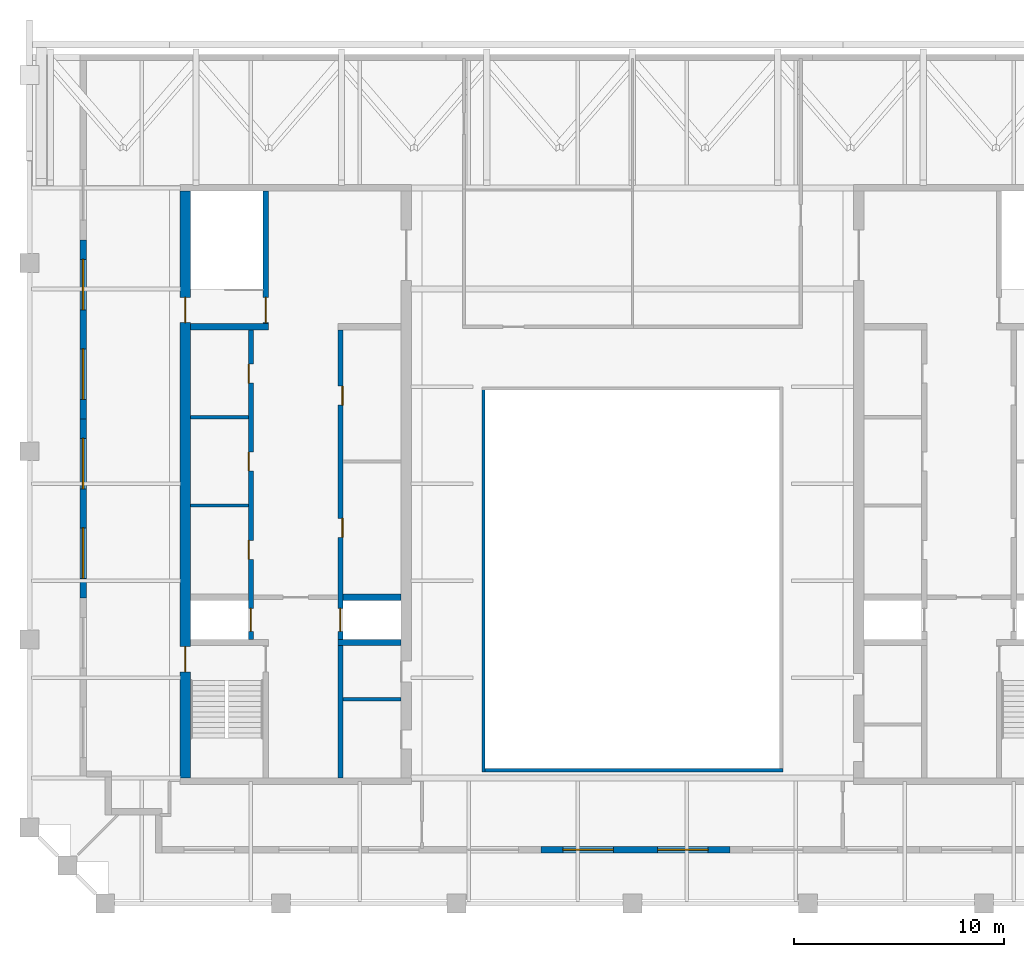
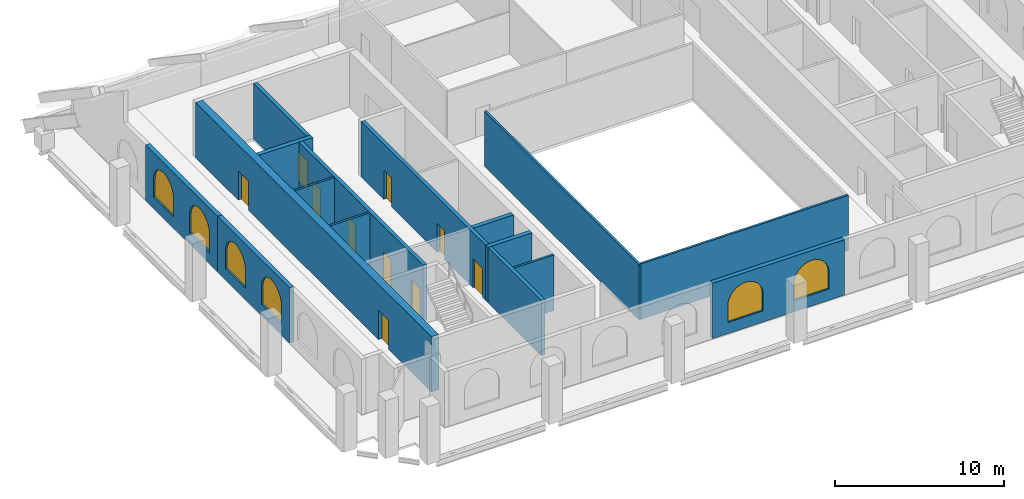
# One storey, part 3 of 7: 15 walls, 10 doors, 6 windows, 16 openings.
"""IFC4 building model written with IfcOpenShell, lengths in metres."""

import ifcopenshell
import ifcopenshell.guid

model = None  # the IFC model being written
_history = None  # IfcOwnerHistory: only IFC2X3 demands one
_inside = {}  # id of a spatial element -> (the spatial element, [elements in it])
_under = {}  # id of a project, library or spatial element -> (it, [spatial elements below it])
_declared = {}  # id of a project -> (the project, [libraries it declares])
_typed = {}  # id of a type object -> (the type object, [elements of that type])
_made_of = {}  # id of a material, layer set ... -> (it, [elements and type objects made of it])


def new_model(schema):
    """Start an empty IFC model of exactly this schema.

    Asked for "IFC4X3", IfcOpenShell would pick the latest addendum, in which some entities
    have other attributes; the version numbers below select the first issue.
    IFC2X3 requires an IfcOwnerHistory on every rooted entity: one is made here for all.
    """
    global model, _history
    if schema == "IFC4X3":
        model = ifcopenshell.file(schema_version=(4, 3, 0, 0))
    else:
        model = ifcopenshell.file(schema=schema)
    _inside.clear()
    _under.clear()
    _declared.clear()
    _typed.clear()
    _made_of.clear()
    _history = None
    if model.schema == "IFC2X3":
        org = make("IfcOrganization", Name="unknown")
        user = make(
            "IfcPersonAndOrganization",
            ThePerson=make("IfcPerson", FamilyName="unknown"),
            TheOrganization=org,
        )
        app = make(
            "IfcApplication",
            ApplicationDeveloper=org,
            Version="unknown",
            ApplicationFullName="unknown",
            ApplicationIdentifier="unknown",
        )
        _history = make(
            "IfcOwnerHistory",
            OwningUser=user,
            OwningApplication=app,
            ChangeAction="ADDED",
            CreationDate=0,
        )
    return model


def make(cls, **values):
    """One entity of the class cls with the attributes given. An attribute that is None is left unset."""
    return model.create_entity(
        cls, **{name: value for name, value in values.items() if value is not None}
    )


def rooted(cls, **values):
    """An entity with a GlobalId (a new one), such as an element, a storey or a relation."""
    return make(cls, GlobalId=ifcopenshell.guid.new(), OwnerHistory=_history, **values)


def si_unit(unit_type, name, prefix=None):
    """IfcSIUnit, for example si_unit("LENGTHUNIT", "METRE", prefix="MILLI")."""
    return make("IfcSIUnit", UnitType=unit_type, Prefix=prefix, Name=name)


def assignment(units):
    """IfcUnitAssignment: the units of a project."""
    return None if units is None else make("IfcUnitAssignment", Units=units)


def point(xyz):
    """IfcCartesianPoint."""
    return None if xyz is None else make("IfcCartesianPoint", Coordinates=xyz)


def direction(xyz):
    """IfcDirection."""
    return None if xyz is None else make("IfcDirection", DirectionRatios=xyz)


def frame(location, z_axis=None, x_axis=None):
    """IfcAxis2Placement3D, a coordinate frame: its origin and axes. An axis left out is left unset."""
    return make(
        "IfcAxis2Placement3D",
        Location=point(location),
        Axis=direction(z_axis),
        RefDirection=direction(x_axis),
    )


def frame_2d(location, x_axis=None):
    """IfcAxis2Placement2D, a coordinate frame in the plane: its origin and x axis."""
    return make(
        "IfcAxis2Placement2D", Location=point(location), RefDirection=direction(x_axis)
    )


def origin():
    """The frame at (0, 0, 0) with its axes left unset."""
    return frame((0.0, 0.0, 0.0))


def place(relative_to, where):
    """IfcLocalPlacement: puts the frame where relative to a parent placement (None: the world)."""
    return make(
        "IfcLocalPlacement", PlacementRelTo=relative_to, RelativePlacement=where
    )


def context(
    kind, dimensions, precision=None, world=None, true_north=None, identifier=None
):
    """IfcGeometricRepresentationContext, for example the 3D "Model" context."""
    return make(
        "IfcGeometricRepresentationContext",
        ContextIdentifier=identifier,
        ContextType=kind,
        CoordinateSpaceDimension=dimensions,
        Precision=precision,
        WorldCoordinateSystem=world,
        TrueNorth=true_north,
    )


def subcontext(parent, identifier, kind, view, scale=None):
    """IfcGeometricRepresentationSubContext, for example "Body" below "Model"."""
    return make(
        "IfcGeometricRepresentationSubContext",
        ContextIdentifier=identifier,
        ContextType=kind,
        ParentContext=parent,
        TargetScale=scale,
        TargetView=view,
    )


def project(units=None, contexts=None):
    """IfcProject with its units and contexts."""
    return rooted(
        "IfcProject",
        Name="project",
        RepresentationContexts=contexts,
        UnitsInContext=assignment(units),
    )


def spatial(cls, under=None, at=None, **own):
    """A site, building, storey or space (cls), placed at a placement, below another one or the project."""
    s = rooted(cls, ObjectPlacement=at, **own)
    if under is not None:
        _under.setdefault(under.id(), (under, []))[1].append(s)
    return s


def polyline(points):
    """IfcPolyline through the points."""
    return make("IfcPolyline", Points=[point(p) for p in points])


def profile(cls, at=None, kind="AREA", **sizes):
    """A parametric profile (cls). Its sizes go by their IFC names, for example OverallWidth=200.0."""
    return make(cls, ProfileType=kind, Position=at, **sizes)


def rectangle(**sizes):
    """IfcRectangleProfileDef."""
    return profile("IfcRectangleProfileDef", **sizes)


def outline(outer, holes=None, kind="AREA"):
    """IfcArbitraryClosedProfileDef: a profile drawn as a closed curve; with holes, ...WithVoids."""
    if holes is None:
        return make("IfcArbitraryClosedProfileDef", ProfileType=kind, OuterCurve=outer)
    return make(
        "IfcArbitraryProfileDefWithVoids",
        ProfileType=kind,
        OuterCurve=outer,
        InnerCurves=holes,
    )


def extrude(swept, where, along, depth):
    """IfcExtrudedAreaSolid: the profile swept, set in the frame where, extruded along a direction by depth."""
    return make(
        "IfcExtrudedAreaSolid",
        SweptArea=swept,
        Position=where,
        ExtrudedDirection=direction(along),
        Depth=depth,
    )


def shape(context_of_items, identifier, shape_type, items):
    """IfcShapeRepresentation: the items that make up one representation, for example the "Body"."""
    return make(
        "IfcShapeRepresentation",
        ContextOfItems=context_of_items,
        RepresentationIdentifier=identifier,
        RepresentationType=shape_type,
        Items=items,
    )


def material(Name=None, Category=None):
    """IfcMaterial."""
    return make("IfcMaterial", Name=Name, Category=Category)


def layer(
    of_material, thickness, ventilated=None, Name=None, Category=None, Priority=None
):
    """IfcMaterialLayer: one layer of a wall or slab, of a material (None: an air gap)."""
    return make(
        "IfcMaterialLayer",
        Material=of_material,
        LayerThickness=thickness,
        IsVentilated=ventilated,
        Name=Name,
        Category=Category,
        Priority=Priority,
    )


def layer_set(layers, Name=None):
    """IfcMaterialLayerSet."""
    return make("IfcMaterialLayerSet", MaterialLayers=layers, LayerSetName=Name)


def made_of(thing, what):
    """Note that an element or type object is made of a material, layer set ...; save() writes the relation."""
    if what is not None:
        _made_of.setdefault(what.id(), (what, []))[1].append(thing)
    return thing


def type_object(cls, material=None, **own):
    """A type object (cls), such as IfcWallType, which elements share."""
    return made_of(rooted(cls, **own), material)


def element(
    cls,
    number,
    at=None,
    inside=None,
    cuts=None,
    type_object=None,
    material=None,
    context=None,
    identifier="Body",
    shape_type=None,
    held_by="IfcProductDefinitionShape",
    body=None,
    shapes=None,
    **own,
):
    """One element of the class cls, such as IfcWall. Its Tag is "e" and its number.

    at: its placement. inside: the storey or other place that contains it. cuts: it is an
    opening in that element (IfcRelVoidsElement). A single representation is given by context,
    identifier, shape_type and body (its items); several are given by shapes. held_by: the class
    of the entity that holds the representations. save() writes the other relations.
    """
    e = rooted(cls, Tag="e%d" % number, ObjectPlacement=at, **own)
    if body is not None:
        shapes = [shape(context, identifier, shape_type, body)]
    if shapes is not None:
        e.Representation = make(held_by, Representations=shapes)
    if inside is not None:
        _inside.setdefault(inside.id(), (inside, []))[1].append(e)
    if cuts is not None:
        rooted(
            "IfcRelVoidsElement", RelatingBuildingElement=cuts, RelatedOpeningElement=e
        )
    if type_object is not None:
        _typed.setdefault(type_object.id(), (type_object, []))[1].append(e)
    return made_of(e, material)


def fill(opening, filler):
    """IfcRelFillsElement: the door or window that sits in an opening."""
    return rooted(
        "IfcRelFillsElement",
        RelatingOpeningElement=opening,
        RelatedBuildingElement=filler,
    )


def aggregate(whole, parts):
    """IfcRelAggregates: a whole, such as a stair, and the parts it consists of."""
    return rooted("IfcRelAggregates", RelatingObject=whole, RelatedObjects=parts)


def save(model, path):
    """Write the relations noted so far, then the file.

    IfcRelAggregates (storeys below a building ...), IfcRelContainedInSpatialStructure (elements
    in a storey), IfcRelDefinesByType, IfcRelAssociatesMaterial and IfcRelDeclares: one each for
    every whole, place, type object, material and project.
    """
    for whole, parts in _under.values():
        aggregate(whole, parts)
    for where, things in _inside.values():
        rooted(
            "IfcRelContainedInSpatialStructure",
            RelatedElements=things,
            RelatingStructure=where,
        )
    for kind, things in _typed.values():
        rooted("IfcRelDefinesByType", RelatedObjects=things, RelatingType=kind)
    for what, things in _made_of.values():
        rooted("IfcRelAssociatesMaterial", RelatedObjects=things, RelatingMaterial=what)
    for by, libraries in _declared.values():
        rooted("IfcRelDeclares", RelatingContext=by, RelatedDefinitions=libraries)
    model.write(path)


model = new_model("IFC4")

# Units and contexts
model_context = context("Model", 3, precision=1e-05, world=origin(), true_north=direction((0.0, 1.0)))
body_context = subcontext(model_context, "Body", "Model", "MODEL_VIEW")
ifc_project = project(units=[si_unit("LENGTHUNIT", "METRE"), si_unit("AREAUNIT", "SQUARE_METRE"), si_unit("VOLUMEUNIT", "CUBIC_METRE"), si_unit("PLANEANGLEUNIT", "RADIAN"), si_unit("MASSUNIT", "GRAM", prefix="KILO")], contexts=[model_context])

# Site, building, storey
site_placement = place(None, origin())
site = spatial("IfcSite", under=ifc_project, at=site_placement, CompositionType="ELEMENT")
building_placement = place(site_placement, origin())
building = spatial("IfcBuilding", under=site, at=building_placement, Name="Ogive Exchange Tower", CompositionType="ELEMENT")
storey_placement = place(building_placement, frame((0.0, 0.0, 385.800048828125)))
storey = spatial("IfcBuildingStorey", under=building, at=storey_placement, Name="C05", CompositionType="ELEMENT", Elevation=385.800048828125)

# Walls
ifc_material_1 = material(Name="Gypsum board partition")
ifc_layer_1 = layer(ifc_material_1, 0.14990234375)
ifc_layer_set_1 = layer_set([ifc_layer_1], Name="Core room partition 150 gypsum")
wall_type_1 = type_object("IfcWallType", Name="Core room partition 150 gypsum", PredefinedType="PARTITIONING", material=ifc_layer_set_1)
for number, where, z_axis, x_axis, name in (
    (1, (-21.0, 10.5, 0.0), (0.0, 0.0, 1.0), (1.0, 0.0, 0.0), "W row A bay partition 1-1"),
    (2, (-21.0, 14.699951171875, 0.0), (0.0, 0.0, 1.0), (1.0, 0.0, 0.0), "W row A bay partition 1-2"),
    (3, (-13.75, 1.300048828125, 0.0), (0.0, 0.0, 1.0), (1.0, 0.0, 0.0), "W south room partition"),
):
    element("IfcWall", number, at=place(storey_placement, frame(where, z_axis=z_axis, x_axis=x_axis)), inside=storey, type_object=wall_type_1, Name=name, PredefinedType="PARTITIONING", context=body_context, shape_type="SweptSolid", body=[
        extrude(rectangle(XDim=2.75, YDim=0.14990234375, at=frame_2d((1.375, 0.0))), origin(), (0.0, 0.0, 1.0), 4.0),
    ])
ifc_material_2 = material(Name="Fire-resisting glass in steel frame", Category="steel")
ifc_layer_2 = layer(ifc_material_2, 0.14990234375)
ifc_layer_set_2 = layer_set([ifc_layer_2], Name="Fire-rated glazed wall 150")
wall_type_2 = type_object("IfcWallType", Name="Fire-rated glazed wall 150", PredefinedType="STANDARD", material=ifc_layer_set_2)
wall_1_placement = place(storey_placement, frame((-7.074951171875, -2.14990234375, 0.0), z_axis=(0.0, 0.0, 1.0), x_axis=(0.0, 1.0, 0.0)))
element("IfcWall", 4, at=wall_1_placement, inside=storey, type_object=wall_type_2, Name="Nave enclosure wall 1", PredefinedType="STANDARD", context=body_context, shape_type="SweptSolid", body=[
    extrude(rectangle(XDim=18.2998046875, YDim=0.14990234375, at=frame_2d((9.14990234375, 0.0))), origin(), (0.0, 0.0, 1.0), 4.0),
])
wall_2_placement = place(storey_placement, frame((7.14990234375, -2.074951171875, 0.0), z_axis=(0.0, 0.0, 1.0), x_axis=(-1.0, 0.0, 0.0)))
element("IfcWall", 5, at=wall_2_placement, inside=storey, type_object=wall_type_2, Name="Nave enclosure wall 4", PredefinedType="STANDARD", context=body_context, shape_type="SweptSolid", body=[
    extrude(rectangle(XDim=14.14990234375, YDim=0.14990234375, at=frame_2d((7.074951171875, 0.0))), origin(), (0.0, 0.0, 1.0), 4.0),
])

# Wall, opening, door
ifc_material_3 = material(Name="Concrete C70/85", Category="concrete")
ifc_layer_3 = layer(ifc_material_3, 0.25)
ifc_layer_set_3 = layer_set([ifc_layer_3], Name="RC core wall 250 C70/85")
wall_type_3 = type_object("IfcWallType", Name="RC core wall 250 C70/85", PredefinedType="SHEAR", material=ifc_layer_set_3)
wall_3_placement = place(storey_placement, frame((-17.425048828125, 19.14990234375, 0.0), z_axis=(0.0, 0.0, 1.0), x_axis=(0.0, 1.0, 0.0)))
wall_3 = element("IfcWall", 6, at=wall_3_placement, inside=storey, type_object=wall_type_3, Name="W stair N front wall", PredefinedType="SHEAR", context=body_context, shape_type="SweptSolid", body=[
    extrude(rectangle(XDim=6.300048828125, YDim=0.25, at=frame_2d((3.14990234375, 0.0))), origin(), (0.0, 0.0, 1.0), 4.0),
])
opening_1_placement = place(wall_3_placement, frame((0.050048828125, 0.0, 0.0)))
opening_1 = element("IfcOpeningElement", 7, at=opening_1_placement, cuts=wall_3, Name="Opening C05-C12", PredefinedType="OPENING", context=body_context, shape_type="SweptSolid", body=[
    extrude(rectangle(XDim=1.199951171875, YDim=2.10009765625, at=frame_2d((0.60009765625, 1.050048828125))), frame((0.0, 0.135009765625, 0.0), z_axis=(0.0, -1.0, 0.0), x_axis=(1.0, 0.0, 0.0)), (0.0, 0.0, 1.0), 0.27001953125),
])
ifc_material_4 = material(Name="Steel fire door", Category="steel")
door_type_1 = type_object("IfcDoorType", Name="Stair door FD90 1200 x 2100", OperationType="NOTDEFINED", PredefinedType="DOOR", material=ifc_material_4)
door_1_placement = place(opening_1_placement, origin())
door_1 = element("IfcDoor", 8, at=door_1_placement, inside=storey, type_object=door_type_1, Name="Stair door", ObjectType="CD5", OperationType="SINGLE_SWING_RIGHT", OverallHeight=2.10009765625, OverallWidth=1.199951171875, PredefinedType="DOOR", context=body_context, shape_type="SweptSolid", body=[
    extrude(rectangle(XDim=1.199951171875, YDim=2.10009765625, at=frame_2d((0.60009765625, 1.050048828125))), frame((0.0, 0.02490234375, 0.0), z_axis=(0.0, -1.0, 0.0), x_axis=(1.0, 0.0, 0.0)), (0.0, 0.0, 1.0), 0.050048828125),
])
fill(opening_1, door_1)

# Wall, openings, doors
wall_4_placement = place(storey_placement, frame((-18.125, 4.14990234375, 0.0), z_axis=(0.0, 0.0, 1.0), x_axis=(0.0, 1.0, 0.0)))
wall_4 = element("IfcWall", 9, at=wall_4_placement, inside=storey, type_object=wall_type_3, Name="W row A front wall", PredefinedType="SHEAR", context=body_context, shape_type="SweptSolid", body=[
    extrude(rectangle(XDim=14.7001953125, YDim=0.25, at=frame_2d((7.35009765625, 0.0))), origin(), (0.0, 0.0, 1.0), 4.0),
])
opening_2_placement = place(wall_4_placement, frame((3.79638671875, 0.0, 0.0)))
opening_2 = element("IfcOpeningElement", 10, at=opening_2_placement, cuts=wall_4, Name="Opening C05-C01", PredefinedType="OPENING", context=body_context, shape_type="SweptSolid", body=[
    extrude(rectangle(XDim=0.89990234375, YDim=2.10009765625, at=frame_2d((0.449951171875, 1.050048828125))), frame((0.0, 0.135009765625, 0.0), z_axis=(0.0, -1.0, 0.0), x_axis=(1.0, 0.0, 0.0)), (0.0, 0.0, 1.0), 0.27001953125),
])
opening_3_placement = place(wall_4_placement, frame((8.0, 0.0, 0.0)))
opening_3 = element("IfcOpeningElement", 11, at=opening_3_placement, cuts=wall_4, Name="Opening C05-C02", PredefinedType="OPENING", context=body_context, shape_type="SweptSolid", body=[
    extrude(rectangle(XDim=0.89990234375, YDim=2.10009765625, at=frame_2d((0.449951171875, 1.050048828125))), frame((0.0, 0.135009765625, 0.0), z_axis=(0.0, -1.0, 0.0), x_axis=(1.0, 0.0, 0.0)), (0.0, 0.0, 1.0), 0.27001953125),
])
opening_4_placement = place(wall_4_placement, frame((12.175048828125, 0.0, 0.0)))
opening_4 = element("IfcOpeningElement", 12, at=opening_4_placement, cuts=wall_4, Name="Opening C05-C03", PredefinedType="OPENING", context=body_context, shape_type="SweptSolid", body=[
    extrude(rectangle(XDim=0.89990234375, YDim=2.10009765625, at=frame_2d((0.449951171875, 1.050048828125))), frame((0.0, 0.135009765625, 0.0), z_axis=(0.0, -1.0, 0.0), x_axis=(1.0, 0.0, 0.0)), (0.0, 0.0, 1.0), 0.27001953125),
])
opening_5_placement = place(wall_4_placement, frame((0.371337890625, 0.0, 0.0)))
opening_5 = element("IfcOpeningElement", 13, at=opening_5_placement, cuts=wall_4, Name="Opening C05-C04", PredefinedType="OPENING", context=body_context, shape_type="SweptSolid", body=[
    extrude(rectangle(XDim=1.10009765625, YDim=2.10009765625, at=frame_2d((0.550048828125, 1.050048828125))), frame((0.0, 0.135009765625, 0.0), z_axis=(0.0, -1.0, 0.0), x_axis=(1.0, 0.0, 0.0)), (0.0, 0.0, 1.0), 0.27001953125),
])
ifc_material_5 = material(Name="Stainless steel", Category="steel")
door_type_2 = type_object("IfcDoorType", Name="Lift landing door FD90 1100 x 2100", OperationType="SLIDING_TO_LEFT", PredefinedType="DOOR", material=ifc_material_5)
door_2_placement = place(opening_5_placement, origin())
door_2 = element("IfcDoor", 14, at=door_2_placement, inside=storey, type_object=door_type_2, Name="Lift landing door FF1", ObjectType="LD", OperationType="SLIDING_TO_LEFT", OverallHeight=2.10009765625, OverallWidth=1.10009765625, PredefinedType="DOOR", context=body_context, shape_type="SweptSolid", body=[
    extrude(rectangle(XDim=1.10009765625, YDim=2.10009765625, at=frame_2d((0.550048828125, 1.050048828125))), frame((0.0, 0.02490234375, 0.0), z_axis=(0.0, -1.0, 0.0), x_axis=(1.0, 0.0, 0.0)), (0.0, 0.0, 1.0), 0.050048828125),
])
fill(opening_5, door_2)
door_type_3 = type_object("IfcDoorType", Name="Riser door FD60 900 x 2100", OperationType="NOTDEFINED", PredefinedType="DOOR", material=ifc_material_4)
door_3_placement = place(opening_2_placement, origin())
door_3 = element("IfcDoor", 15, at=door_3_placement, inside=storey, type_object=door_type_3, Name="Riser door", ObjectType="CD2", OperationType="SINGLE_SWING_RIGHT", OverallHeight=2.10009765625, OverallWidth=0.89990234375, PredefinedType="DOOR", context=body_context, shape_type="SweptSolid", body=[
    extrude(rectangle(XDim=0.89990234375, YDim=2.10009765625, at=frame_2d((0.449951171875, 1.050048828125))), frame((0.0, 0.125, 0.0), z_axis=(0.0, -1.0, 0.0), x_axis=(1.0, 0.0, 0.0)), (0.0, 0.0, 1.0), 0.050048828125),
])
fill(opening_2, door_3)
door_4_placement = place(opening_3_placement, origin())
door_4 = element("IfcDoor", 16, at=door_4_placement, inside=storey, type_object=door_type_3, Name="Riser door", ObjectType="CD2", OperationType="SINGLE_SWING_RIGHT", OverallHeight=2.10009765625, OverallWidth=0.89990234375, PredefinedType="DOOR", context=body_context, shape_type="SweptSolid", body=[
    extrude(rectangle(XDim=0.89990234375, YDim=2.10009765625, at=frame_2d((0.449951171875, 1.050048828125))), frame((0.0, 0.125, 0.0), z_axis=(0.0, -1.0, 0.0), x_axis=(1.0, 0.0, 0.0)), (0.0, 0.0, 1.0), 0.050048828125),
])
fill(opening_3, door_4)
door_5_placement = place(opening_4_placement, origin())
door_5 = element("IfcDoor", 17, at=door_5_placement, inside=storey, type_object=door_type_3, Name="Riser door", ObjectType="CD2", OperationType="SINGLE_SWING_RIGHT", OverallHeight=2.10009765625, OverallWidth=0.89990234375, PredefinedType="DOOR", context=body_context, shape_type="SweptSolid", body=[
    extrude(rectangle(XDim=0.89990234375, YDim=2.10009765625, at=frame_2d((0.449951171875, 1.050048828125))), frame((0.0, 0.125, 0.0), z_axis=(0.0, -1.0, 0.0), x_axis=(1.0, 0.0, 0.0)), (0.0, 0.0, 1.0), 0.050048828125),
])
fill(opening_4, door_5)

wall_5_placement = place(storey_placement, frame((-13.875, -2.449951171875, 0.0), z_axis=(0.0, 0.0, 1.0), x_axis=(0.0, 1.0, 0.0)))
wall_5 = element("IfcWall", 18, at=wall_5_placement, inside=storey, type_object=wall_type_3, Name="W row B front wall", PredefinedType="SHEAR", context=body_context, shape_type="SweptSolid", body=[
    extrude(rectangle(XDim=21.300048828125, YDim=0.25, at=frame_2d((10.64990234375, 0.0))), origin(), (0.0, 0.0, 1.0), 4.0),
])
opening_6_placement = place(wall_5_placement, frame((11.4462890625, 0.0, 0.0)))
opening_6 = element("IfcOpeningElement", 19, at=opening_6_placement, cuts=wall_5, Name="Opening C05-C05", PredefinedType="OPENING", context=body_context, shape_type="SweptSolid", body=[
    extrude(rectangle(XDim=0.89990234375, YDim=2.10009765625, at=frame_2d((0.449951171875, 1.050048828125))), frame((0.0, 0.135009765625, 0.0), z_axis=(0.0, -1.0, 0.0), x_axis=(1.0, 0.0, 0.0)), (0.0, 0.0, 1.0), 0.27001953125),
])
opening_7_placement = place(wall_5_placement, frame((17.72509765625, 0.0, 0.0)))
opening_7 = element("IfcOpeningElement", 20, at=opening_7_placement, cuts=wall_5, Name="Opening C05-C06", PredefinedType="OPENING", context=body_context, shape_type="SweptSolid", body=[
    extrude(rectangle(XDim=0.89990234375, YDim=2.10009765625, at=frame_2d((0.449951171875, 1.050048828125))), frame((0.0, 0.135009765625, 0.0), z_axis=(0.0, -1.0, 0.0), x_axis=(1.0, 0.0, 0.0)), (0.0, 0.0, 1.0), 0.27001953125),
])
opening_8_placement = place(wall_5_placement, frame((6.971435546875, 0.0, 0.0)))
opening_8 = element("IfcOpeningElement", 21, at=opening_8_placement, cuts=wall_5, Name="Opening C05-C07", PredefinedType="OPENING", context=body_context, shape_type="SweptSolid", body=[
    extrude(rectangle(XDim=1.10009765625, YDim=2.10009765625, at=frame_2d((0.550048828125, 1.050048828125))), frame((0.0, 0.135009765625, 0.0), z_axis=(0.0, -1.0, 0.0), x_axis=(1.0, 0.0, 0.0)), (0.0, 0.0, 1.0), 0.27001953125),
])
ifc_material_6 = material(Name="Timber fire door", Category="wood")
door_type_4 = type_object("IfcDoorType", Name="Core room door FD30S 900 x 2100", OperationType="NOTDEFINED", PredefinedType="DOOR", material=ifc_material_6)
door_6_placement = place(opening_7_placement, frame((0.89990234375, -0.2001953125, 0.0), z_axis=(0.0, 0.0, 1.0), x_axis=(-1.0, 0.0, 0.0)))
door_6 = element("IfcDoor", 22, at=door_6_placement, inside=storey, type_object=door_type_4, Name="Core room door", ObjectType="CD6", OperationType="SINGLE_SWING_RIGHT", OverallHeight=2.10009765625, OverallWidth=0.89990234375, PredefinedType="DOOR", context=body_context, shape_type="SweptSolid", body=[
    extrude(rectangle(XDim=0.89990234375, YDim=2.10009765625, at=frame_2d((0.449951171875, 1.050048828125))), frame((0.0, -0.0751953125, 0.0), z_axis=(0.0, -1.0, 0.0), x_axis=(1.0, 0.0, 0.0)), (0.0, 0.0, 1.0), 0.050048828125),
])
fill(opening_7, door_6)
door_7_placement = place(opening_8_placement, origin())
door_7 = element("IfcDoor", 23, at=door_7_placement, inside=storey, type_object=door_type_2, Name="Lift landing door SV1", ObjectType="LD", OperationType="SLIDING_TO_LEFT", OverallHeight=2.10009765625, OverallWidth=1.10009765625, PredefinedType="DOOR", context=body_context, shape_type="SweptSolid", body=[
    extrude(rectangle(XDim=1.10009765625, YDim=2.10009765625, at=frame_2d((0.550048828125, 1.050048828125))), frame((0.0, 0.02490234375, 0.0), z_axis=(0.0, -1.0, 0.0), x_axis=(1.0, 0.0, 0.0)), (0.0, 0.0, 1.0), 0.050048828125),
])
fill(opening_8, door_7)
door_8_placement = place(opening_6_placement, frame((0.89990234375, -0.2001953125, 0.0), z_axis=(0.0, 0.0, 1.0), x_axis=(-1.0, 0.0, 0.0)))
door_8 = element("IfcDoor", 24, at=door_8_placement, inside=storey, type_object=door_type_3, Name="Riser door", ObjectType="CD2", OperationType="SINGLE_SWING_RIGHT", OverallHeight=2.10009765625, OverallWidth=0.89990234375, PredefinedType="DOOR", context=body_context, shape_type="SweptSolid", body=[
    extrude(rectangle(XDim=0.89990234375, YDim=2.10009765625, at=frame_2d((0.449951171875, 1.050048828125))), frame((0.0, -0.0751953125, 0.0), z_axis=(0.0, -1.0, 0.0), x_axis=(1.0, 0.0, 0.0)), (0.0, 0.0, 1.0), 0.050048828125),
])
fill(opening_6, door_8)

# Walls
ifc_layer_4 = layer(ifc_material_3, 0.300048828125)
ifc_layer_set_4 = layer_set([ifc_layer_4], Name="RC core wall 300 C70/85")
wall_type_4 = type_object("IfcWallType", Name="RC core wall 300 C70/85", PredefinedType="SHEAR", material=ifc_layer_set_4)
wall_6_placement = place(storey_placement, frame((-21.0, 19.0, 0.0), z_axis=(0.0, 0.0, 1.0), x_axis=(1.0, 0.0, 0.0)))
element("IfcWall", 25, at=wall_6_placement, inside=storey, type_object=wall_type_4, Name="W stair N south wall", PredefinedType="SHEAR", context=body_context, shape_type="SweptSolid", body=[
    extrude(rectangle(XDim=3.699951171875, YDim=0.300048828125, at=frame_2d((1.85009765625, 0.0))), origin(), (0.0, 0.0, 1.0), 4.0),
])
wall_7_placement = place(storey_placement, frame((-14.0, 4.0, 0.0), z_axis=(0.0, 0.0, 1.0), x_axis=(1.0, 0.0, 0.0)))
element("IfcWall", 26, at=wall_7_placement, inside=storey, type_object=wall_type_4, Name="W row B divider 0", PredefinedType="SHEAR", context=body_context, shape_type="SweptSolid", body=[
    extrude(rectangle(XDim=3.0, YDim=0.300048828125, at=frame_2d((1.5, 0.0))), origin(), (0.0, 0.0, 1.0), 4.0),
])
wall_8_placement = place(storey_placement, frame((-13.75, 6.142822265625, 0.0), z_axis=(0.0, 0.0, 1.0), x_axis=(1.0, 0.0, 0.0)))
element("IfcWall", 27, at=wall_8_placement, inside=storey, type_object=wall_type_4, Name="W row B divider 1", PredefinedType="SHEAR", context=body_context, shape_type="SweptSolid", body=[
    extrude(rectangle(XDim=2.75, YDim=0.300048828125, at=frame_2d((1.375, 0.0))), origin(), (0.0, 0.0, 1.0), 4.0),
])

# Wall, openings, doors
ifc_layer_5 = layer(ifc_material_3, 0.5)
ifc_layer_set_5 = layer_set([ifc_layer_5], Name="RC core wall 500 C70/85")
wall_type_5 = type_object("IfcWallType", Name="RC core wall 500 C70/85", PredefinedType="SHEAR", material=ifc_layer_set_5)
wall_9_placement = place(storey_placement, frame((-21.25, -2.449951171875, 0.0), z_axis=(0.0, 0.0, 1.0), x_axis=(0.0, 1.0, 0.0)))
wall_9 = element("IfcWall", 28, at=wall_9_placement, inside=storey, type_object=wall_type_5, Name="W outer wall", PredefinedType="SHEAR", context=body_context, shape_type="SweptSolid", body=[
    extrude(rectangle(XDim=27.89990234375, YDim=0.5, at=frame_2d((13.949951171875, 0.0))), origin(), (0.0, 0.0, 1.0), 4.0),
])
opening_9_placement = place(wall_9_placement, frame((5.050048828125, 0.0, 0.0)))
opening_9 = element("IfcOpeningElement", 29, at=opening_9_placement, cuts=wall_9, Name="Opening C05-C11", PredefinedType="OPENING", context=body_context, shape_type="SweptSolid", body=[
    extrude(rectangle(XDim=1.199951171875, YDim=2.10009765625, at=frame_2d((0.60009765625, 1.050048828125))), frame((0.0, 0.260009765625, 0.0), z_axis=(0.0, -1.0, 0.0), x_axis=(1.0, 0.0, 0.0)), (0.0, 0.0, 1.0), 0.52001953125),
])
opening_10_placement = place(wall_9_placement, frame((21.64990234375, 0.0, 0.0)))
opening_10 = element("IfcOpeningElement", 30, at=opening_10_placement, cuts=wall_9, Name="Opening C05-C13", PredefinedType="OPENING", context=body_context, shape_type="SweptSolid", body=[
    extrude(rectangle(XDim=1.199951171875, YDim=2.10009765625, at=frame_2d((0.60009765625, 1.050048828125))), frame((0.0, 0.260009765625, 0.0), z_axis=(0.0, -1.0, 0.0), x_axis=(1.0, 0.0, 0.0)), (0.0, 0.0, 1.0), 0.52001953125),
])
door_9_placement = place(opening_9_placement, origin())
door_9 = element("IfcDoor", 31, at=door_9_placement, inside=storey, type_object=door_type_1, Name="Stair door", ObjectType="CD5", OperationType="SINGLE_SWING_LEFT", OverallHeight=2.10009765625, OverallWidth=1.199951171875, PredefinedType="DOOR", context=body_context, shape_type="SweptSolid", body=[
    extrude(rectangle(XDim=1.199951171875, YDim=2.10009765625, at=frame_2d((0.60009765625, 1.050048828125))), frame((0.0, 0.02490234375, 0.0), z_axis=(0.0, -1.0, 0.0), x_axis=(1.0, 0.0, 0.0)), (0.0, 0.0, 1.0), 0.050048828125),
])
fill(opening_9, door_9)
door_10_placement = place(opening_10_placement, origin())
door_10 = element("IfcDoor", 32, at=door_10_placement, inside=storey, type_object=door_type_1, Name="Stair door", ObjectType="CD5", OperationType="SINGLE_SWING_LEFT", OverallHeight=2.10009765625, OverallWidth=1.199951171875, PredefinedType="DOOR", context=body_context, shape_type="SweptSolid", body=[
    extrude(rectangle(XDim=1.199951171875, YDim=2.10009765625, at=frame_2d((0.60009765625, 1.050048828125))), frame((0.0, 0.02490234375, 0.0), z_axis=(0.0, -1.0, 0.0), x_axis=(1.0, 0.0, 0.0)), (0.0, 0.0, 1.0), 0.050048828125),
])
fill(opening_10, door_10)

# Wall, openings, windows
ifc_material_7 = material(Name="Precast concrete C40/50", Category="concrete")
ifc_layer_6 = layer(ifc_material_7, 0.300048828125)
ifc_layer_set_6 = layer_set([ifc_layer_6], Name="Zinc-clad crown wall 300")
wall_type_6 = type_object("IfcWallType", Name="Zinc-clad crown wall 300", PredefinedType="STANDARD", material=ifc_layer_set_6)
wall_10_placement = place(storey_placement, frame((-4.35009765625, -5.85009765625, 0.0), z_axis=(0.0, 0.0, 1.0), x_axis=(1.0, 0.0, 0.0)))
wall_10 = element("IfcWall", 33, at=wall_10_placement, inside=storey, type_object=wall_type_6, Name="Crown wall 6", PredefinedType="STANDARD", context=body_context, shape_type="SweptSolid", body=[
    extrude(rectangle(XDim=9.0, YDim=0.300048828125, at=frame_2d((4.5, 0.0))), origin(), (0.0, 0.0, 1.0), 4.0),
])
opening_11_placement = place(wall_10_placement, frame((1.050048828125, 0.0, 0.800048828125)))
opening_11 = element("IfcOpeningElement", 34, at=opening_11_placement, cuts=wall_10, Name="Opening WC25", PredefinedType="OPENING", context=body_context, shape_type="SweptSolid", body=[
    extrude(outline(polyline([(0.0, 0.0), (2.39990234375, 0.0), (2.39990234375, 1.25), (2.377197265625, 1.48779296875), (2.3095703125, 1.717041015625), (2.19970703125, 1.928955078125), (2.05126953125, 2.116455078125), (1.8701171875, 2.272216796875), (1.662841796875, 2.390625), (1.4365234375, 2.467529296875), (1.199951171875, 2.5), (0.96337890625, 2.467529296875), (0.737060546875, 2.390625), (0.52978515625, 2.272216796875), (0.3486328125, 2.116455078125), (0.2001953125, 1.928955078125), (0.09033203125, 1.717041015625), (0.022705078125, 1.48779296875), (0.0, 1.25), (0.0, 0.0)])), frame((0.0, 0.159912109375, 0.0), z_axis=(0.0, -1.0, 0.0), x_axis=(1.0, 0.0, 0.0)), (0.0, 0.0, 1.0), 0.320068359375),
])
opening_12_placement = place(wall_10_placement, frame((5.550048828125, 0.0, 0.800048828125)))
opening_12 = element("IfcOpeningElement", 35, at=opening_12_placement, cuts=wall_10, Name="Opening WC25", PredefinedType="OPENING", context=body_context, shape_type="SweptSolid", body=[
    extrude(outline(polyline([(0.0, 0.0), (2.39990234375, 0.0), (2.39990234375, 1.25), (2.377197265625, 1.48779296875), (2.3095703125, 1.717041015625), (2.19970703125, 1.928955078125), (2.05126953125, 2.116455078125), (1.8701171875, 2.272216796875), (1.662841796875, 2.390625), (1.4365234375, 2.467529296875), (1.199951171875, 2.5), (0.96337890625, 2.467529296875), (0.737060546875, 2.390625), (0.52978515625, 2.272216796875), (0.3486328125, 2.116455078125), (0.2001953125, 1.928955078125), (0.09033203125, 1.717041015625), (0.022705078125, 1.48779296875), (0.0, 1.25), (0.0, 0.0)])), frame((0.0, 0.159912109375, 0.0), z_axis=(0.0, -1.0, 0.0), x_axis=(1.0, 0.0, 0.0)), (0.0, 0.0, 1.0), 0.320068359375),
])
ifc_material_8 = material(Name="Clear glass in bronze frame", Category="glass")
window_type = type_object("IfcWindowType", Name="Crown lancet window 2400 x 2500", PartitioningType="DOUBLE_PANEL_VERTICAL", PredefinedType="WINDOW", material=ifc_material_8)
window_1_placement = place(opening_11_placement, origin())
window_1 = element("IfcWindow", 36, at=window_1_placement, inside=storey, type_object=window_type, Name="Crown lancet 6.1", OverallHeight=2.5, OverallWidth=2.39990234375, PartitioningType="DOUBLE_PANEL_VERTICAL", PredefinedType="WINDOW", context=body_context, shape_type="SweptSolid", body=[
    extrude(outline(polyline([(0.0, 0.0), (2.39990234375, 0.0), (2.39990234375, 1.25), (2.377197265625, 1.48779296875), (2.3095703125, 1.717041015625), (2.19970703125, 1.928955078125), (2.05126953125, 2.116455078125), (1.8701171875, 2.272216796875), (1.662841796875, 2.390625), (1.4365234375, 2.467529296875), (1.199951171875, 2.5), (0.96337890625, 2.467529296875), (0.737060546875, 2.390625), (0.52978515625, 2.272216796875), (0.3486328125, 2.116455078125), (0.2001953125, 1.928955078125), (0.09033203125, 1.717041015625), (0.022705078125, 1.48779296875), (0.0, 1.25), (0.0, 0.0)])), frame((0.0, 0.030029296875, 0.0), z_axis=(0.0, -1.0, 0.0), x_axis=(1.0, 0.0, 0.0)), (0.0, 0.0, 1.0), 0.06005859375),
])
fill(opening_11, window_1)
window_2_placement = place(opening_12_placement, origin())
window_2 = element("IfcWindow", 37, at=window_2_placement, inside=storey, type_object=window_type, Name="Crown lancet 6.2", OverallHeight=2.5, OverallWidth=2.39990234375, PartitioningType="DOUBLE_PANEL_VERTICAL", PredefinedType="WINDOW", context=body_context, shape_type="SweptSolid", body=[
    extrude(outline(polyline([(0.0, 0.0), (2.39990234375, 0.0), (2.39990234375, 1.25), (2.377197265625, 1.48779296875), (2.3095703125, 1.717041015625), (2.19970703125, 1.928955078125), (2.05126953125, 2.116455078125), (1.8701171875, 2.272216796875), (1.662841796875, 2.390625), (1.4365234375, 2.467529296875), (1.199951171875, 2.5), (0.96337890625, 2.467529296875), (0.737060546875, 2.390625), (0.52978515625, 2.272216796875), (0.3486328125, 2.116455078125), (0.2001953125, 1.928955078125), (0.09033203125, 1.717041015625), (0.022705078125, 1.48779296875), (0.0, 1.25), (0.0, 0.0)])), frame((0.0, 0.030029296875, 0.0), z_axis=(0.0, -1.0, 0.0), x_axis=(1.0, 0.0, 0.0)), (0.0, 0.0, 1.0), 0.06005859375),
])
fill(opening_12, window_2)

wall_11_placement = place(storey_placement, frame((-26.10009765625, 23.1357421875, 0.0), z_axis=(0.0, 0.0, 1.0), x_axis=(0.0, -1.0, 0.0)))
wall_11 = element("IfcWall", 38, at=wall_11_placement, inside=storey, type_object=wall_type_6, Name="Crown wall 24", PredefinedType="STANDARD", context=body_context, shape_type="SweptSolid", body=[
    extrude(rectangle(XDim=8.511962890625, YDim=0.300048828125, at=frame_2d((4.255859375, 0.0))), origin(), (0.0, 0.0, 1.0), 4.0),
])
opening_13_placement = place(wall_11_placement, frame((0.927978515625, 0.0, 0.800048828125)))
opening_13 = element("IfcOpeningElement", 39, at=opening_13_placement, cuts=wall_11, Name="Opening WC25", PredefinedType="OPENING", context=body_context, shape_type="SweptSolid", body=[
    extrude(outline(polyline([(0.0, 0.0), (2.39990234375, 0.0), (2.39990234375, 1.25), (2.377197265625, 1.48779296875), (2.3095703125, 1.717041015625), (2.19970703125, 1.928955078125), (2.05126953125, 2.116455078125), (1.8701171875, 2.272216796875), (1.662841796875, 2.390625), (1.4365234375, 2.467529296875), (1.199951171875, 2.5), (0.96337890625, 2.467529296875), (0.737060546875, 2.390625), (0.52978515625, 2.272216796875), (0.3486328125, 2.116455078125), (0.2001953125, 1.928955078125), (0.09033203125, 1.717041015625), (0.022705078125, 1.48779296875), (0.0, 1.25), (0.0, 0.0)])), frame((0.0, 0.159912109375, 0.0), z_axis=(0.0, -1.0, 0.0), x_axis=(1.0, 0.0, 0.0)), (0.0, 0.0, 1.0), 0.320068359375),
])
opening_14_placement = place(wall_11_placement, frame((5.183837890625, 0.0, 0.800048828125)))
opening_14 = element("IfcOpeningElement", 40, at=opening_14_placement, cuts=wall_11, Name="Opening WC25", PredefinedType="OPENING", context=body_context, shape_type="SweptSolid", body=[
    extrude(outline(polyline([(0.0, 0.0), (2.39990234375, 0.0), (2.39990234375, 1.25), (2.377197265625, 1.48779296875), (2.3095703125, 1.717041015625), (2.19970703125, 1.928955078125), (2.05126953125, 2.116455078125), (1.8701171875, 2.272216796875), (1.662841796875, 2.390625), (1.4365234375, 2.467529296875), (1.199951171875, 2.5), (0.96337890625, 2.467529296875), (0.737060546875, 2.390625), (0.52978515625, 2.272216796875), (0.3486328125, 2.116455078125), (0.2001953125, 1.928955078125), (0.09033203125, 1.717041015625), (0.022705078125, 1.48779296875), (0.0, 1.25), (0.0, 0.0)])), frame((0.0, 0.159912109375, 0.0), z_axis=(0.0, -1.0, 0.0), x_axis=(1.0, 0.0, 0.0)), (0.0, 0.0, 1.0), 0.320068359375),
])
window_3_placement = place(opening_13_placement, origin())
window_3 = element("IfcWindow", 41, at=window_3_placement, inside=storey, type_object=window_type, Name="Crown lancet 24.1", OverallHeight=2.5, OverallWidth=2.39990234375, PartitioningType="DOUBLE_PANEL_VERTICAL", PredefinedType="WINDOW", context=body_context, shape_type="SweptSolid", body=[
    extrude(outline(polyline([(0.0, 0.0), (2.39990234375, 0.0), (2.39990234375, 1.25), (2.377197265625, 1.48779296875), (2.3095703125, 1.717041015625), (2.19970703125, 1.928955078125), (2.05126953125, 2.116455078125), (1.8701171875, 2.272216796875), (1.662841796875, 2.390625), (1.4365234375, 2.467529296875), (1.199951171875, 2.5), (0.96337890625, 2.467529296875), (0.737060546875, 2.390625), (0.52978515625, 2.272216796875), (0.3486328125, 2.116455078125), (0.2001953125, 1.928955078125), (0.09033203125, 1.717041015625), (0.022705078125, 1.48779296875), (0.0, 1.25), (0.0, 0.0)])), frame((0.0, 0.030029296875, 0.0), z_axis=(0.0, -1.0, 0.0), x_axis=(1.0, 0.0, 0.0)), (0.0, 0.0, 1.0), 0.06005859375),
])
fill(opening_13, window_3)
window_4_placement = place(opening_14_placement, origin())
window_4 = element("IfcWindow", 42, at=window_4_placement, inside=storey, type_object=window_type, Name="Crown lancet 24.2", OverallHeight=2.5, OverallWidth=2.39990234375, PartitioningType="DOUBLE_PANEL_VERTICAL", PredefinedType="WINDOW", context=body_context, shape_type="SweptSolid", body=[
    extrude(outline(polyline([(0.0, 0.0), (2.39990234375, 0.0), (2.39990234375, 1.25), (2.377197265625, 1.48779296875), (2.3095703125, 1.717041015625), (2.19970703125, 1.928955078125), (2.05126953125, 2.116455078125), (1.8701171875, 2.272216796875), (1.662841796875, 2.390625), (1.4365234375, 2.467529296875), (1.199951171875, 2.5), (0.96337890625, 2.467529296875), (0.737060546875, 2.390625), (0.52978515625, 2.272216796875), (0.3486328125, 2.116455078125), (0.2001953125, 1.928955078125), (0.09033203125, 1.717041015625), (0.022705078125, 1.48779296875), (0.0, 1.25), (0.0, 0.0)])), frame((0.0, 0.030029296875, 0.0), z_axis=(0.0, -1.0, 0.0), x_axis=(1.0, 0.0, 0.0)), (0.0, 0.0, 1.0), 0.06005859375),
])
fill(opening_14, window_4)

wall_12_placement = place(storey_placement, frame((-26.10009765625, 14.623779296875, 0.0), z_axis=(0.0, 0.0, 1.0), x_axis=(0.0, -1.0, 0.0)))
wall_12 = element("IfcWall", 43, at=wall_12_placement, inside=storey, type_object=wall_type_6, Name="Crown wall 25", PredefinedType="STANDARD", context=body_context, shape_type="SweptSolid", body=[
    extrude(rectangle(XDim=8.511962890625, YDim=0.300048828125, at=frame_2d((4.255859375, 0.0))), origin(), (0.0, 0.0, 1.0), 4.0),
])
opening_15_placement = place(wall_12_placement, frame((0.927978515625, 0.0, 0.800048828125)))
opening_15 = element("IfcOpeningElement", 44, at=opening_15_placement, cuts=wall_12, Name="Opening WC25", PredefinedType="OPENING", context=body_context, shape_type="SweptSolid", body=[
    extrude(outline(polyline([(0.0, 0.0), (2.39990234375, 0.0), (2.39990234375, 1.25), (2.377197265625, 1.48779296875), (2.3095703125, 1.717041015625), (2.19970703125, 1.928955078125), (2.05126953125, 2.116455078125), (1.8701171875, 2.272216796875), (1.662841796875, 2.390625), (1.4365234375, 2.467529296875), (1.199951171875, 2.5), (0.96337890625, 2.467529296875), (0.737060546875, 2.390625), (0.52978515625, 2.272216796875), (0.3486328125, 2.116455078125), (0.2001953125, 1.928955078125), (0.09033203125, 1.717041015625), (0.022705078125, 1.48779296875), (0.0, 1.25), (0.0, 0.0)])), frame((0.0, 0.159912109375, 0.0), z_axis=(0.0, -1.0, 0.0), x_axis=(1.0, 0.0, 0.0)), (0.0, 0.0, 1.0), 0.320068359375),
])
opening_16_placement = place(wall_12_placement, frame((5.183837890625, 0.0, 0.800048828125)))
opening_16 = element("IfcOpeningElement", 45, at=opening_16_placement, cuts=wall_12, Name="Opening WC25", PredefinedType="OPENING", context=body_context, shape_type="SweptSolid", body=[
    extrude(outline(polyline([(0.0, 0.0), (2.39990234375, 0.0), (2.39990234375, 1.25), (2.377197265625, 1.48779296875), (2.3095703125, 1.717041015625), (2.19970703125, 1.928955078125), (2.05126953125, 2.116455078125), (1.8701171875, 2.272216796875), (1.662841796875, 2.390625), (1.4365234375, 2.467529296875), (1.199951171875, 2.5), (0.96337890625, 2.467529296875), (0.737060546875, 2.390625), (0.52978515625, 2.272216796875), (0.3486328125, 2.116455078125), (0.2001953125, 1.928955078125), (0.09033203125, 1.717041015625), (0.022705078125, 1.48779296875), (0.0, 1.25), (0.0, 0.0)])), frame((0.0, 0.159912109375, 0.0), z_axis=(0.0, -1.0, 0.0), x_axis=(1.0, 0.0, 0.0)), (0.0, 0.0, 1.0), 0.320068359375),
])
window_5_placement = place(opening_15_placement, origin())
window_5 = element("IfcWindow", 46, at=window_5_placement, inside=storey, type_object=window_type, Name="Crown lancet 25.1", OverallHeight=2.5, OverallWidth=2.39990234375, PartitioningType="DOUBLE_PANEL_VERTICAL", PredefinedType="WINDOW", context=body_context, shape_type="SweptSolid", body=[
    extrude(outline(polyline([(0.0, 0.0), (2.39990234375, 0.0), (2.39990234375, 1.25), (2.377197265625, 1.48779296875), (2.3095703125, 1.717041015625), (2.19970703125, 1.928955078125), (2.05126953125, 2.116455078125), (1.8701171875, 2.272216796875), (1.662841796875, 2.390625), (1.4365234375, 2.467529296875), (1.199951171875, 2.5), (0.96337890625, 2.467529296875), (0.737060546875, 2.390625), (0.52978515625, 2.272216796875), (0.3486328125, 2.116455078125), (0.2001953125, 1.928955078125), (0.09033203125, 1.717041015625), (0.022705078125, 1.48779296875), (0.0, 1.25), (0.0, 0.0)])), frame((0.0, 0.030029296875, 0.0), z_axis=(0.0, -1.0, 0.0), x_axis=(1.0, 0.0, 0.0)), (0.0, 0.0, 1.0), 0.06005859375),
])
fill(opening_15, window_5)
window_6_placement = place(opening_16_placement, origin())
window_6 = element("IfcWindow", 47, at=window_6_placement, inside=storey, type_object=window_type, Name="Crown lancet 25.2", OverallHeight=2.5, OverallWidth=2.39990234375, PartitioningType="DOUBLE_PANEL_VERTICAL", PredefinedType="WINDOW", context=body_context, shape_type="SweptSolid", body=[
    extrude(outline(polyline([(0.0, 0.0), (2.39990234375, 0.0), (2.39990234375, 1.25), (2.377197265625, 1.48779296875), (2.3095703125, 1.717041015625), (2.19970703125, 1.928955078125), (2.05126953125, 2.116455078125), (1.8701171875, 2.272216796875), (1.662841796875, 2.390625), (1.4365234375, 2.467529296875), (1.199951171875, 2.5), (0.96337890625, 2.467529296875), (0.737060546875, 2.390625), (0.52978515625, 2.272216796875), (0.3486328125, 2.116455078125), (0.2001953125, 1.928955078125), (0.09033203125, 1.717041015625), (0.022705078125, 1.48779296875), (0.0, 1.25), (0.0, 0.0)])), frame((0.0, 0.030029296875, 0.0), z_axis=(0.0, -1.0, 0.0), x_axis=(1.0, 0.0, 0.0)), (0.0, 0.0, 1.0), 0.06005859375),
])
fill(opening_16, window_6)

save(model, "model.ifc")
